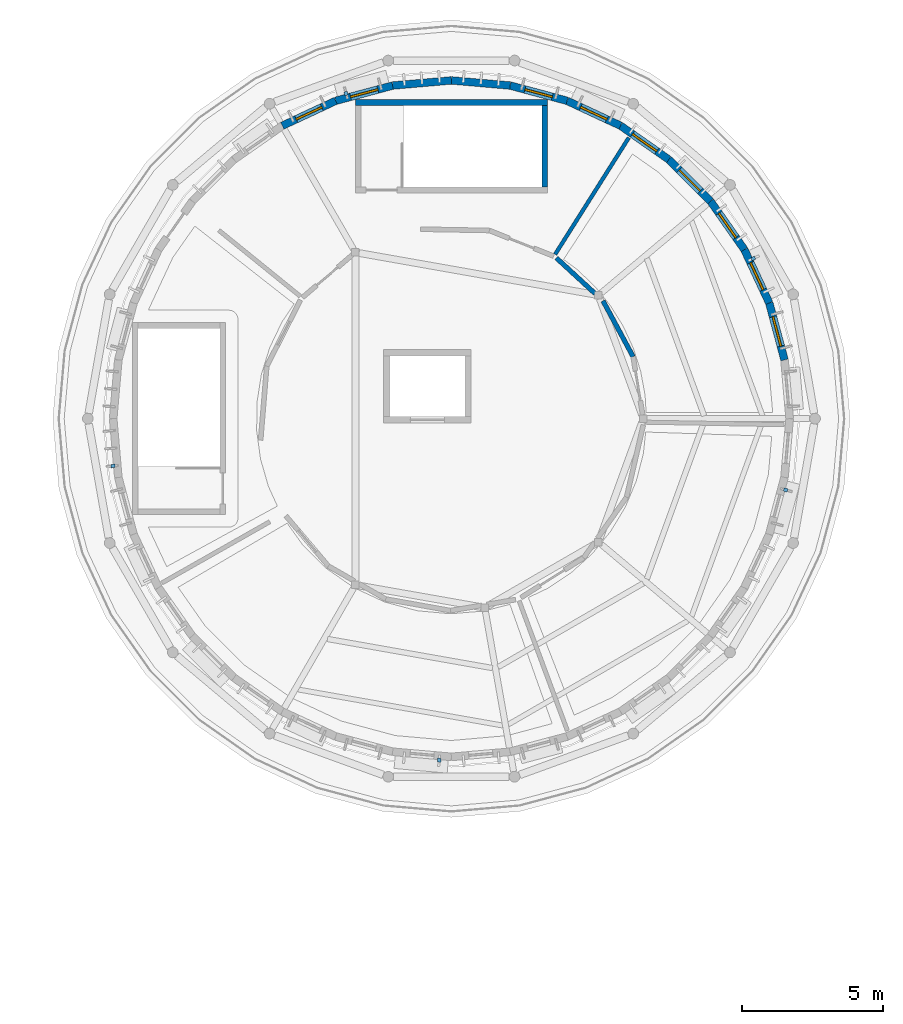
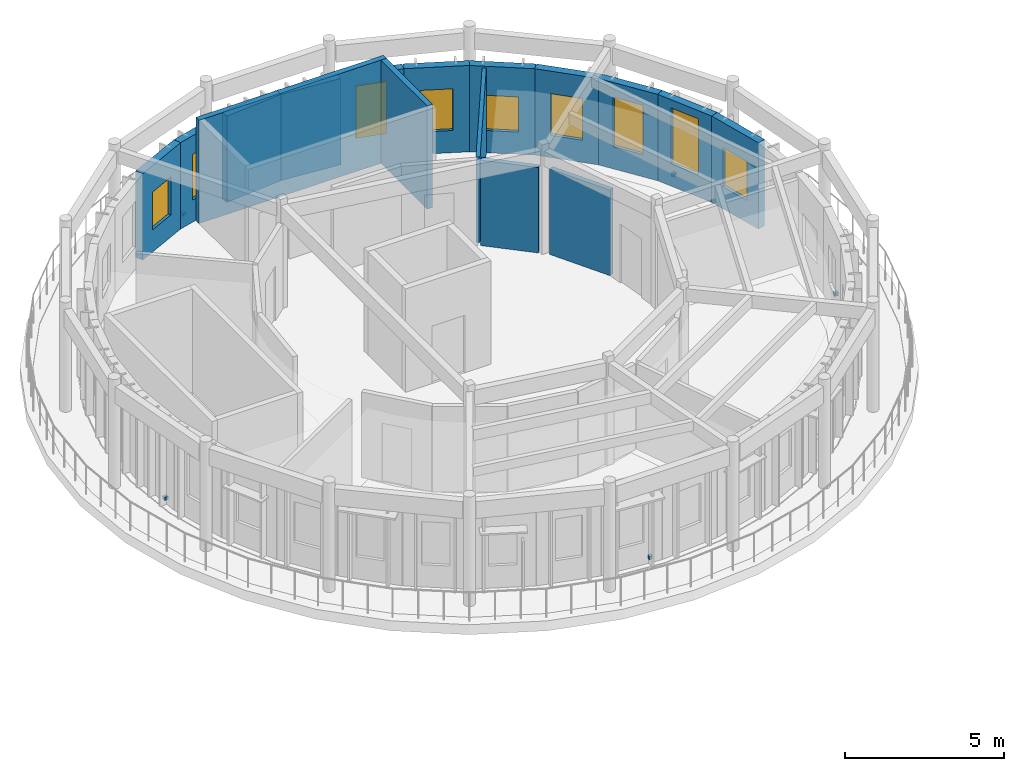
# One storey, part 10 of 14: 16 walls, 9 windows, 5 discrete accessories, 9 openings.
"""IFC4 building model written with IfcOpenShell, lengths in metres."""

import ifcopenshell
import ifcopenshell.guid

model = None  # the IFC model being written
_history = None  # IfcOwnerHistory: only IFC2X3 demands one
_inside = {}  # id of a spatial element -> (the spatial element, [elements in it])
_under = {}  # id of a project, library or spatial element -> (it, [spatial elements below it])
_declared = {}  # id of a project -> (the project, [libraries it declares])
_typed = {}  # id of a type object -> (the type object, [elements of that type])
_made_of = {}  # id of a material, layer set ... -> (it, [elements and type objects made of it])


def new_model(schema):
    """Start an empty IFC model of exactly this schema.

    Asked for "IFC4X3", IfcOpenShell would pick the latest addendum, in which some entities
    have other attributes; the version numbers below select the first issue.
    IFC2X3 requires an IfcOwnerHistory on every rooted entity: one is made here for all.
    """
    global model, _history
    if schema == "IFC4X3":
        model = ifcopenshell.file(schema_version=(4, 3, 0, 0))
    else:
        model = ifcopenshell.file(schema=schema)
    _inside.clear()
    _under.clear()
    _declared.clear()
    _typed.clear()
    _made_of.clear()
    _history = None
    if model.schema == "IFC2X3":
        org = make("IfcOrganization", Name="unknown")
        user = make(
            "IfcPersonAndOrganization",
            ThePerson=make("IfcPerson", FamilyName="unknown"),
            TheOrganization=org,
        )
        app = make(
            "IfcApplication",
            ApplicationDeveloper=org,
            Version="unknown",
            ApplicationFullName="unknown",
            ApplicationIdentifier="unknown",
        )
        _history = make(
            "IfcOwnerHistory",
            OwningUser=user,
            OwningApplication=app,
            ChangeAction="ADDED",
            CreationDate=0,
        )
    return model


def make(cls, **values):
    """One entity of the class cls with the attributes given. An attribute that is None is left unset."""
    return model.create_entity(
        cls, **{name: value for name, value in values.items() if value is not None}
    )


def rooted(cls, **values):
    """An entity with a GlobalId (a new one), such as an element, a storey or a relation."""
    return make(cls, GlobalId=ifcopenshell.guid.new(), OwnerHistory=_history, **values)


def si_unit(unit_type, name, prefix=None):
    """IfcSIUnit, for example si_unit("LENGTHUNIT", "METRE", prefix="MILLI")."""
    return make("IfcSIUnit", UnitType=unit_type, Prefix=prefix, Name=name)


def assignment(units):
    """IfcUnitAssignment: the units of a project."""
    return None if units is None else make("IfcUnitAssignment", Units=units)


def point(xyz):
    """IfcCartesianPoint."""
    return None if xyz is None else make("IfcCartesianPoint", Coordinates=xyz)


def direction(xyz):
    """IfcDirection."""
    return None if xyz is None else make("IfcDirection", DirectionRatios=xyz)


def frame(location, z_axis=None, x_axis=None):
    """IfcAxis2Placement3D, a coordinate frame: its origin and axes. An axis left out is left unset."""
    return make(
        "IfcAxis2Placement3D",
        Location=point(location),
        Axis=direction(z_axis),
        RefDirection=direction(x_axis),
    )


def frame_2d(location, x_axis=None):
    """IfcAxis2Placement2D, a coordinate frame in the plane: its origin and x axis."""
    return make(
        "IfcAxis2Placement2D", Location=point(location), RefDirection=direction(x_axis)
    )


def origin():
    """The frame at (0, 0, 0) with its axes left unset."""
    return frame((0.0, 0.0, 0.0))


def origin_2d():
    """The frame at (0, 0) in the plane with its x axis left unset."""
    return frame_2d((0.0, 0.0))


def place(relative_to, where):
    """IfcLocalPlacement: puts the frame where relative to a parent placement (None: the world)."""
    return make(
        "IfcLocalPlacement", PlacementRelTo=relative_to, RelativePlacement=where
    )


def context(
    kind, dimensions, precision=None, world=None, true_north=None, identifier=None
):
    """IfcGeometricRepresentationContext, for example the 3D "Model" context."""
    return make(
        "IfcGeometricRepresentationContext",
        ContextIdentifier=identifier,
        ContextType=kind,
        CoordinateSpaceDimension=dimensions,
        Precision=precision,
        WorldCoordinateSystem=world,
        TrueNorth=true_north,
    )


def subcontext(parent, identifier, kind, view, scale=None):
    """IfcGeometricRepresentationSubContext, for example "Body" below "Model"."""
    return make(
        "IfcGeometricRepresentationSubContext",
        ContextIdentifier=identifier,
        ContextType=kind,
        ParentContext=parent,
        TargetScale=scale,
        TargetView=view,
    )


def project(units=None, contexts=None):
    """IfcProject with its units and contexts."""
    return rooted(
        "IfcProject",
        Name="project",
        RepresentationContexts=contexts,
        UnitsInContext=assignment(units),
    )


def spatial(cls, under=None, at=None, **own):
    """A site, building, storey or space (cls), placed at a placement, below another one or the project."""
    s = rooted(cls, ObjectPlacement=at, **own)
    if under is not None:
        _under.setdefault(under.id(), (under, []))[1].append(s)
    return s


def profile(cls, at=None, kind="AREA", **sizes):
    """A parametric profile (cls). Its sizes go by their IFC names, for example OverallWidth=200.0."""
    return make(cls, ProfileType=kind, Position=at, **sizes)


def rectangle(**sizes):
    """IfcRectangleProfileDef."""
    return profile("IfcRectangleProfileDef", **sizes)


def extrude(swept, where, along, depth):
    """IfcExtrudedAreaSolid: the profile swept, set in the frame where, extruded along a direction by depth."""
    return make(
        "IfcExtrudedAreaSolid",
        SweptArea=swept,
        Position=where,
        ExtrudedDirection=direction(along),
        Depth=depth,
    )


def shape(context_of_items, identifier, shape_type, items):
    """IfcShapeRepresentation: the items that make up one representation, for example the "Body"."""
    return make(
        "IfcShapeRepresentation",
        ContextOfItems=context_of_items,
        RepresentationIdentifier=identifier,
        RepresentationType=shape_type,
        Items=items,
    )


def material(Name=None, Category=None):
    """IfcMaterial."""
    return make("IfcMaterial", Name=Name, Category=Category)


def layer(
    of_material, thickness, ventilated=None, Name=None, Category=None, Priority=None
):
    """IfcMaterialLayer: one layer of a wall or slab, of a material (None: an air gap)."""
    return make(
        "IfcMaterialLayer",
        Material=of_material,
        LayerThickness=thickness,
        IsVentilated=ventilated,
        Name=Name,
        Category=Category,
        Priority=Priority,
    )


def layer_set(layers, Name=None):
    """IfcMaterialLayerSet."""
    return make("IfcMaterialLayerSet", MaterialLayers=layers, LayerSetName=Name)


def made_of(thing, what):
    """Note that an element or type object is made of a material, layer set ...; save() writes the relation."""
    if what is not None:
        _made_of.setdefault(what.id(), (what, []))[1].append(thing)
    return thing


def type_object(cls, material=None, **own):
    """A type object (cls), such as IfcWallType, which elements share."""
    return made_of(rooted(cls, **own), material)


def element(
    cls,
    number,
    at=None,
    inside=None,
    cuts=None,
    type_object=None,
    material=None,
    context=None,
    identifier="Body",
    shape_type=None,
    held_by="IfcProductDefinitionShape",
    body=None,
    shapes=None,
    **own,
):
    """One element of the class cls, such as IfcWall. Its Tag is "e" and its number.

    at: its placement. inside: the storey or other place that contains it. cuts: it is an
    opening in that element (IfcRelVoidsElement). A single representation is given by context,
    identifier, shape_type and body (its items); several are given by shapes. held_by: the class
    of the entity that holds the representations. save() writes the other relations.
    """
    e = rooted(cls, Tag="e%d" % number, ObjectPlacement=at, **own)
    if body is not None:
        shapes = [shape(context, identifier, shape_type, body)]
    if shapes is not None:
        e.Representation = make(held_by, Representations=shapes)
    if inside is not None:
        _inside.setdefault(inside.id(), (inside, []))[1].append(e)
    if cuts is not None:
        rooted(
            "IfcRelVoidsElement", RelatingBuildingElement=cuts, RelatedOpeningElement=e
        )
    if type_object is not None:
        _typed.setdefault(type_object.id(), (type_object, []))[1].append(e)
    return made_of(e, material)


def fill(opening, filler):
    """IfcRelFillsElement: the door or window that sits in an opening."""
    return rooted(
        "IfcRelFillsElement",
        RelatingOpeningElement=opening,
        RelatedBuildingElement=filler,
    )


def aggregate(whole, parts):
    """IfcRelAggregates: a whole, such as a stair, and the parts it consists of."""
    return rooted("IfcRelAggregates", RelatingObject=whole, RelatedObjects=parts)


def save(model, path):
    """Write the relations noted so far, then the file.

    IfcRelAggregates (storeys below a building ...), IfcRelContainedInSpatialStructure (elements
    in a storey), IfcRelDefinesByType, IfcRelAssociatesMaterial and IfcRelDeclares: one each for
    every whole, place, type object, material and project.
    """
    for whole, parts in _under.values():
        aggregate(whole, parts)
    for where, things in _inside.values():
        rooted(
            "IfcRelContainedInSpatialStructure",
            RelatedElements=things,
            RelatingStructure=where,
        )
    for kind, things in _typed.values():
        rooted("IfcRelDefinesByType", RelatedObjects=things, RelatingType=kind)
    for what, things in _made_of.values():
        rooted("IfcRelAssociatesMaterial", RelatedObjects=things, RelatingMaterial=what)
    for by, libraries in _declared.values():
        rooted("IfcRelDeclares", RelatingContext=by, RelatedDefinitions=libraries)
    model.write(path)


model = new_model("IFC4")

# Units and contexts
model_context = context("Model", 3, precision=1e-05, world=origin(), true_north=direction((0.0, 1.0)))
body_context = subcontext(model_context, "Body", "Model", "MODEL_VIEW")
ifc_project = project(units=[si_unit("LENGTHUNIT", "METRE"), si_unit("AREAUNIT", "SQUARE_METRE"), si_unit("VOLUMEUNIT", "CUBIC_METRE"), si_unit("PLANEANGLEUNIT", "RADIAN"), si_unit("MASSUNIT", "GRAM", prefix="KILO")], contexts=[model_context])

# Site, building, storey
site_placement = place(None, origin())
site = spatial("IfcSite", under=ifc_project, at=site_placement, CompositionType="ELEMENT")
building_placement = place(site_placement, origin())
building = spatial("IfcBuilding", under=site, at=building_placement, Name="Aldenvaro Health Centre", CompositionType="ELEMENT")
storey_placement = place(building_placement, frame((0.0, 0.0, 21.35009765625)))
storey = spatial("IfcBuildingStorey", under=building, at=storey_placement, Name="L05", CompositionType="ELEMENT", Elevation=21.35009765625)

# Walls
ifc_material_1 = material(Name="Gypsum Stud Acoustic Assembly")
ifc_layer_1 = layer(ifc_material_1, 0.1650390625, Name="Gypsum Stud Acoustic Assembly")
ifc_layer_set_1 = layer_set([ifc_layer_1], Name="Gypsum Stud Acoustic Assembly")
wall_type_1 = type_object("IfcWallType", Name="WL-COR-165", PredefinedType="PARTITIONING", material=ifc_layer_set_1)
wall_1_placement = place(storey_placement, frame((24.93603515625, 101.695068359375, 0.0), z_axis=(0.0, 0.0, 1.0), x_axis=(-0.474805741817, 0.880090624617, 0.0)))
element("IfcWall", 1, at=wall_1_placement, inside=storey, type_object=wall_type_1, Name="D4 L05 corridor wall 04.2", PredefinedType="PARTITIONING", context=body_context, shape_type="SweptSolid", body=[
    extrude(rectangle(XDim=2.24755859375, YDim=0.1650390625, at=frame_2d((1.123779296875, 0.0))), origin(), (0.0, 0.0, 1.0), 3.27880859375),
])
wall_2_placement = place(storey_placement, frame((23.5859375, 103.93310546875, 0.0), z_axis=(0.0, 0.0, 1.0), x_axis=(-0.735722058644, 0.67728358346, 0.0)))
element("IfcWall", 2, at=wall_2_placement, inside=storey, type_object=wall_type_1, Name="D4 L05 corridor wall 04.3", PredefinedType="PARTITIONING", context=body_context, shape_type="SweptSolid", body=[
    extrude(rectangle(XDim=1.86328125, YDim=0.1650390625, at=frame_2d((0.931640625, 0.0))), origin(), (0.0, 0.0, 1.0), 3.27880859375),
])

# Wall, opening, window
ifc_material_2 = material(Name="Cross-laminated timber CLT E1", Category="wood")
ifc_layer_2 = layer(ifc_material_2, 0.27001953125, Name="Cross-laminated timber CLT E1", Category="wood")
ifc_layer_set_2 = layer_set([ifc_layer_2], Name="Cross-laminated timber CLT E1")
wall_type_2 = type_object("IfcWallType", Name="WL-EXT-270", PredefinedType="ELEMENTEDWALL", material=ifc_layer_set_2)
wall_3_placement = place(storey_placement, frame((12.510009765625, 109.875, 0.0), z_axis=(0.0, 0.0, 1.0), x_axis=(0.906251803004, 0.422738299131, 0.0)))
wall_3 = element("IfcWall", 3, at=wall_3_placement, inside=storey, type_object=wall_type_2, Name="D4 L05 exterior wall 24", PredefinedType="ELEMENTEDWALL", context=body_context, shape_type="SweptSolid", body=[
    extrude(rectangle(XDim=2.0888671875, YDim=0.27001953125, at=frame_2d((1.04443359375, 0.0))), origin(), (0.0, 0.0, 1.0), 3.31396484375),
])
opening_1_placement = place(wall_3_placement, frame((0.5439453125, 0.0, 0.85009765625)))
opening_1 = element("IfcOpeningElement", 4, at=opening_1_placement, cuts=wall_3, Name="Opening W-15", PredefinedType="OPENING", context=body_context, shape_type="SweptSolid", body=[
    extrude(rectangle(XDim=1.0, YDim=1.449951171875, at=frame_2d((0.5, 0.72509765625))), frame((0.0, 0.14501953125, 0.0), z_axis=(0.0, -1.0, 0.0), x_axis=(1.0, 0.0, 0.0)), (0.0, 0.0, 1.0), 0.2900390625),
])
ifc_material_3 = material(Name="Thermally Broken Aluminium Low-E Glass", Category="aluminium")
window_type_1 = type_object("IfcWindowType", Name="WN-EXT-15", PartitioningType="SINGLE_PANEL", PredefinedType="WINDOW", material=ifc_material_3)
window_1_placement = place(opening_1_placement, origin())
window_1 = element("IfcWindow", 5, at=window_1_placement, inside=storey, type_object=window_type_1, Name="D4 L05 clinical window 24", OverallHeight=1.449951171875, OverallWidth=1.0, PartitioningType="SINGLE_PANEL", PredefinedType="WINDOW", context=body_context, shape_type="SweptSolid", body=[
    extrude(rectangle(XDim=1.0, YDim=1.449951171875, at=frame_2d((0.5, 0.72509765625))), frame((0.0, 0.030029296875, 0.0), z_axis=(0.0, -1.0, 0.0), x_axis=(1.0, 0.0, 0.0)), (0.0, 0.0, 1.0), 0.06005859375),
])
fill(opening_1, window_1)

wall_4_placement = place(storey_placement, frame((14.403076171875, 110.758056640625, 0.0), z_axis=(0.0, 0.0, 1.0), x_axis=(0.965970487849, 0.258652308331, 0.0)))
wall_4 = element("IfcWall", 6, at=wall_4_placement, inside=storey, type_object=wall_type_2, Name="D4 L05 exterior wall 25", PredefinedType="ELEMENTEDWALL", context=body_context, shape_type="SweptSolid", body=[
    extrude(rectangle(XDim=2.087890625, YDim=0.27001953125, at=frame_2d((1.0439453125, 0.0))), origin(), (0.0, 0.0, 1.0), 3.31396484375),
])
opening_2_placement = place(wall_4_placement, frame((0.5439453125, 0.0, 0.85009765625)))
opening_2 = element("IfcOpeningElement", 7, at=opening_2_placement, cuts=wall_4, Name="Opening W-16", PredefinedType="OPENING", context=body_context, shape_type="SweptSolid", body=[
    extrude(rectangle(XDim=1.0, YDim=1.75, at=frame_2d((0.5, 0.875))), frame((0.0, 0.14501953125, 0.0), z_axis=(0.0, -1.0, 0.0), x_axis=(1.0, 0.0, 0.0)), (0.0, 0.0, 1.0), 0.2900390625),
])
window_type_2 = type_object("IfcWindowType", Name="WN-EXT-16", PartitioningType="SINGLE_PANEL", PredefinedType="WINDOW", material=ifc_material_3)
window_2_placement = place(opening_2_placement, origin())
window_2 = element("IfcWindow", 8, at=window_2_placement, inside=storey, type_object=window_type_2, Name="D4 L05 clinical window 25", OverallHeight=1.75, OverallWidth=1.0, PartitioningType="SINGLE_PANEL", PredefinedType="WINDOW", context=body_context, shape_type="SweptSolid", body=[
    extrude(rectangle(XDim=1.0, YDim=1.75, at=frame_2d((0.5, 0.875))), frame((0.0, 0.030029296875, 0.0), z_axis=(0.0, -1.0, 0.0), x_axis=(1.0, 0.0, 0.0)), (0.0, 0.0, 1.0), 0.06005859375),
])
fill(opening_2, window_2)

# Walls
for number, where, z_axis, x_axis, name in (
    (9, (16.419921875, 111.298095703125, 0.0), (0.0, 0.0, 1.0), (0.996198792396, 0.087108931964, 0.0), "D4 L05 exterior wall 26"),
    (10, (18.5, 111.47998046875, 0.0), (0.0, 0.0, 1.0), (0.996198792396, -0.087108931964, 0.0), "D4 L05 exterior wall 27"),
):
    element("IfcWall", number, at=place(storey_placement, frame(where, z_axis=z_axis, x_axis=x_axis)), inside=storey, type_object=wall_type_2, Name=name, PredefinedType="ELEMENTEDWALL", context=body_context, shape_type="SweptSolid", body=[
        extrude(rectangle(XDim=2.088134765625, YDim=0.27001953125, at=frame_2d((1.0439453125, 0.0))), origin(), (0.0, 0.0, 1.0), 3.31396484375),
    ])

# Wall, opening, window
wall_5_placement = place(storey_placement, frame((20.580078125, 111.298095703125, 0.0), z_axis=(0.0, 0.0, 1.0), x_axis=(0.965970487849, -0.258652308331, 0.0)))
wall_5 = element("IfcWall", 11, at=wall_5_placement, inside=storey, type_object=wall_type_2, Name="D4 L05 exterior wall 28", PredefinedType="ELEMENTEDWALL", context=body_context, shape_type="SweptSolid", body=[
    extrude(rectangle(XDim=2.087890625, YDim=0.27001953125, at=frame_2d((1.0439453125, 0.0))), origin(), (0.0, 0.0, 1.0), 3.31396484375),
])
opening_3_placement = place(wall_5_placement, frame((0.5439453125, 0.0, 0.85009765625)))
opening_3 = element("IfcOpeningElement", 12, at=opening_3_placement, cuts=wall_5, Name="Opening W-17", PredefinedType="OPENING", context=body_context, shape_type="SweptSolid", body=[
    extrude(rectangle(XDim=1.0, YDim=2.0, at=frame_2d((0.5, 1.0))), frame((0.0, 0.14501953125, 0.0), z_axis=(0.0, -1.0, 0.0), x_axis=(1.0, 0.0, 0.0)), (0.0, 0.0, 1.0), 0.2900390625),
])
window_type_3 = type_object("IfcWindowType", Name="WN-EXT-17", PartitioningType="SINGLE_PANEL", PredefinedType="WINDOW", material=ifc_material_3)
window_3_placement = place(opening_3_placement, origin())
window_3 = element("IfcWindow", 13, at=window_3_placement, inside=storey, type_object=window_type_3, Name="D4 L05 clinical window 28", OverallHeight=2.0, OverallWidth=1.0, PartitioningType="SINGLE_PANEL", PredefinedType="WINDOW", context=body_context, shape_type="SweptSolid", body=[
    extrude(rectangle(XDim=1.0, YDim=2.0, at=frame_2d((0.5, 1.0))), frame((0.0, 0.030029296875, 0.0), z_axis=(0.0, -1.0, 0.0), x_axis=(1.0, 0.0, 0.0)), (0.0, 0.0, 1.0), 0.06005859375),
])
fill(opening_3, window_3)

wall_6_placement = place(storey_placement, frame((22.596923828125, 110.758056640625, 0.0), z_axis=(0.0, 0.0, 1.0), x_axis=(0.906251803004, -0.422738299131, 0.0)))
wall_6 = element("IfcWall", 14, at=wall_6_placement, inside=storey, type_object=wall_type_2, Name="D4 L05 exterior wall 29", PredefinedType="ELEMENTEDWALL", context=body_context, shape_type="SweptSolid", body=[
    extrude(rectangle(XDim=2.0888671875, YDim=0.27001953125, at=frame_2d((1.04443359375, 0.0))), origin(), (0.0, 0.0, 1.0), 3.31396484375),
])
opening_4_placement = place(wall_6_placement, frame((0.533935546875, 0.0, 0.85009765625)))
opening_4 = element("IfcOpeningElement", 15, at=opening_4_placement, cuts=wall_6, Name="Opening W-18", PredefinedType="OPENING", context=body_context, shape_type="SweptSolid", body=[
    extrude(rectangle(XDim=1.02001953125, YDim=1.60009765625, at=frame_2d((0.510009765625, 0.800048828125))), frame((0.0, 0.14501953125, 0.0), z_axis=(0.0, -1.0, 0.0), x_axis=(1.0, 0.0, 0.0)), (0.0, 0.0, 1.0), 0.2900390625),
])
window_type_4 = type_object("IfcWindowType", Name="WN-EXT-18", PartitioningType="SINGLE_PANEL", PredefinedType="WINDOW", material=ifc_material_3)
window_4_placement = place(opening_4_placement, origin())
window_4 = element("IfcWindow", 16, at=window_4_placement, inside=storey, type_object=window_type_4, Name="D4 L05 clinical window 29", OverallHeight=1.60009765625, OverallWidth=1.02001953125, PartitioningType="SINGLE_PANEL", PredefinedType="WINDOW", context=body_context, shape_type="SweptSolid", body=[
    extrude(rectangle(XDim=1.02001953125, YDim=1.60009765625, at=frame_2d((0.510009765625, 0.800048828125))), frame((0.0, 0.030029296875, 0.0), z_axis=(0.0, -1.0, 0.0), x_axis=(1.0, 0.0, 0.0)), (0.0, 0.0, 1.0), 0.06005859375),
])
fill(opening_4, window_4)

wall_7_placement = place(storey_placement, frame((24.489990234375, 109.875, 0.0), z_axis=(0.0, 0.0, 1.0), x_axis=(0.819155033433, -0.573572167388, 0.0)))
wall_7 = element("IfcWall", 17, at=wall_7_placement, inside=storey, type_object=wall_type_2, Name="D4 L05 exterior wall 30", PredefinedType="ELEMENTEDWALL", context=body_context, shape_type="SweptSolid", body=[
    extrude(rectangle(XDim=2.088623046875, YDim=0.27001953125, at=frame_2d((1.04443359375, 0.0))), origin(), (0.0, 0.0, 1.0), 3.31396484375),
])
opening_5_placement = place(wall_7_placement, frame((0.51904296875, 0.0, 0.85009765625)))
opening_5 = element("IfcOpeningElement", 18, at=opening_5_placement, cuts=wall_7, Name="Opening W-19", PredefinedType="OPENING", context=body_context, shape_type="SweptSolid", body=[
    extrude(rectangle(XDim=1.050048828125, YDim=1.35009765625, at=frame_2d((0.52490234375, 0.675048828125))), frame((0.0, 0.14501953125, 0.0), z_axis=(0.0, -1.0, 0.0), x_axis=(1.0, 0.0, 0.0)), (0.0, 0.0, 1.0), 0.2900390625),
])
window_type_5 = type_object("IfcWindowType", Name="WN-EXT-19", PartitioningType="SINGLE_PANEL", PredefinedType="WINDOW", material=ifc_material_3)
window_5_placement = place(opening_5_placement, origin())
window_5 = element("IfcWindow", 19, at=window_5_placement, inside=storey, type_object=window_type_5, Name="D4 L05 clinical window 30", OverallHeight=1.35009765625, OverallWidth=1.050048828125, PartitioningType="SINGLE_PANEL", PredefinedType="WINDOW", context=body_context, shape_type="SweptSolid", body=[
    extrude(rectangle(XDim=1.050048828125, YDim=1.35009765625, at=frame_2d((0.52490234375, 0.675048828125))), frame((0.0, 0.030029296875, 0.0), z_axis=(0.0, -1.0, 0.0), x_axis=(1.0, 0.0, 0.0)), (0.0, 0.0, 1.0), 0.06005859375),
])
fill(opening_5, window_5)

wall_8_placement = place(storey_placement, frame((26.200927734375, 108.677001953125, 0.0), z_axis=(0.0, 0.0, 1.0), x_axis=(0.707106781187, -0.707106781187, 0.0)))
wall_8 = element("IfcWall", 20, at=wall_8_placement, inside=storey, type_object=wall_type_2, Name="D4 L05 exterior wall 31", PredefinedType="ELEMENTEDWALL", context=body_context, shape_type="SweptSolid", body=[
    extrude(rectangle(XDim=2.08740234375, YDim=0.27001953125, at=frame_2d((1.043701171875, 0.0))), origin(), (0.0, 0.0, 1.0), 3.31396484375),
])
opening_6_placement = place(wall_8_placement, frame((0.51904296875, 0.0, 0.85009765625)))
opening_6 = element("IfcOpeningElement", 21, at=opening_6_placement, cuts=wall_8, Name="Opening W-20", PredefinedType="OPENING", context=body_context, shape_type="SweptSolid", body=[
    extrude(rectangle(XDim=1.050048828125, YDim=1.60009765625, at=frame_2d((0.52490234375, 0.800048828125))), frame((0.0, 0.14501953125, 0.0), z_axis=(0.0, -1.0, 0.0), x_axis=(1.0, 0.0, 0.0)), (0.0, 0.0, 1.0), 0.2900390625),
])
window_type_6 = type_object("IfcWindowType", Name="WN-EXT-20", PartitioningType="SINGLE_PANEL", PredefinedType="WINDOW", material=ifc_material_3)
window_6_placement = place(opening_6_placement, origin())
window_6 = element("IfcWindow", 22, at=window_6_placement, inside=storey, type_object=window_type_6, Name="D4 L05 clinical window 31", OverallHeight=1.60009765625, OverallWidth=1.050048828125, PartitioningType="SINGLE_PANEL", PredefinedType="WINDOW", context=body_context, shape_type="SweptSolid", body=[
    extrude(rectangle(XDim=1.050048828125, YDim=1.60009765625, at=frame_2d((0.52490234375, 0.800048828125))), frame((0.0, 0.030029296875, 0.0), z_axis=(0.0, -1.0, 0.0), x_axis=(1.0, 0.0, 0.0)), (0.0, 0.0, 1.0), 0.06005859375),
])
fill(opening_6, window_6)

wall_9_placement = place(storey_placement, frame((27.677001953125, 107.200927734375, 0.0), z_axis=(0.0, 0.0, 1.0), x_axis=(0.573572167388, -0.819155033433, 0.0)))
wall_9 = element("IfcWall", 23, at=wall_9_placement, inside=storey, type_object=wall_type_2, Name="D4 L05 exterior wall 32", PredefinedType="ELEMENTEDWALL", context=body_context, shape_type="SweptSolid", body=[
    extrude(rectangle(XDim=2.088623046875, YDim=0.27001953125, at=frame_2d((1.04443359375, 0.0))), origin(), (0.0, 0.0, 1.0), 3.31396484375),
])
opening_7_placement = place(wall_9_placement, frame((0.51904296875, 0.0, 0.85009765625)))
opening_7 = element("IfcOpeningElement", 24, at=opening_7_placement, cuts=wall_9, Name="Opening W-21", PredefinedType="OPENING", context=body_context, shape_type="SweptSolid", body=[
    extrude(rectangle(XDim=1.050048828125, YDim=1.89990234375, at=frame_2d((0.52490234375, 0.949951171875))), frame((0.0, 0.14501953125, 0.0), z_axis=(0.0, -1.0, 0.0), x_axis=(1.0, 0.0, 0.0)), (0.0, 0.0, 1.0), 0.2900390625),
])
window_type_7 = type_object("IfcWindowType", Name="WN-EXT-21", PartitioningType="SINGLE_PANEL", PredefinedType="WINDOW", material=ifc_material_3)
window_7_placement = place(opening_7_placement, origin())
window_7 = element("IfcWindow", 25, at=window_7_placement, inside=storey, type_object=window_type_7, Name="D4 L05 clinical window 32", OverallHeight=1.89990234375, OverallWidth=1.050048828125, PartitioningType="SINGLE_PANEL", PredefinedType="WINDOW", context=body_context, shape_type="SweptSolid", body=[
    extrude(rectangle(XDim=1.050048828125, YDim=1.89990234375, at=frame_2d((0.52490234375, 0.949951171875))), frame((0.0, 0.030029296875, 0.0), z_axis=(0.0, -1.0, 0.0), x_axis=(1.0, 0.0, 0.0)), (0.0, 0.0, 1.0), 0.06005859375),
])
fill(opening_7, window_7)

wall_10_placement = place(storey_placement, frame((28.875, 105.489990234375, 0.0), z_axis=(0.0, 0.0, 1.0), x_axis=(0.422738299131, -0.906251803004, 0.0)))
wall_10 = element("IfcWall", 26, at=wall_10_placement, inside=storey, type_object=wall_type_2, Name="D4 L05 exterior wall 33", PredefinedType="ELEMENTEDWALL", context=body_context, shape_type="SweptSolid", body=[
    extrude(rectangle(XDim=2.0888671875, YDim=0.27001953125, at=frame_2d((1.04443359375, 0.0))), origin(), (0.0, 0.0, 1.0), 3.31396484375),
])
opening_8_placement = place(wall_10_placement, frame((0.51904296875, 0.0, 0.85009765625)))
opening_8 = element("IfcOpeningElement", 27, at=opening_8_placement, cuts=wall_10, Name="Opening W-22", PredefinedType="OPENING", context=body_context, shape_type="SweptSolid", body=[
    extrude(rectangle(XDim=1.050048828125, YDim=2.14990234375, at=frame_2d((0.52490234375, 1.074951171875))), frame((0.0, 0.14501953125, 0.0), z_axis=(0.0, -1.0, 0.0), x_axis=(1.0, 0.0, 0.0)), (0.0, 0.0, 1.0), 0.2900390625),
])
window_type_8 = type_object("IfcWindowType", Name="WN-EXT-22", PartitioningType="SINGLE_PANEL", PredefinedType="WINDOW", material=ifc_material_3)
window_8_placement = place(opening_8_placement, origin())
window_8 = element("IfcWindow", 28, at=window_8_placement, inside=storey, type_object=window_type_8, Name="D4 L05 clinical window 33", OverallHeight=2.14990234375, OverallWidth=1.050048828125, PartitioningType="SINGLE_PANEL", PredefinedType="WINDOW", context=body_context, shape_type="SweptSolid", body=[
    extrude(rectangle(XDim=1.050048828125, YDim=2.14990234375, at=frame_2d((0.52490234375, 1.074951171875))), frame((0.0, 0.030029296875, 0.0), z_axis=(0.0, -1.0, 0.0), x_axis=(1.0, 0.0, 0.0)), (0.0, 0.0, 1.0), 0.06005859375),
])
fill(opening_8, window_8)

wall_11_placement = place(storey_placement, frame((29.758056640625, 103.596923828125, 0.0), z_axis=(0.0, 0.0, 1.0), x_axis=(0.258652308331, -0.965970487849, 0.0)))
wall_11 = element("IfcWall", 29, at=wall_11_placement, inside=storey, type_object=wall_type_2, Name="D4 L05 exterior wall 34", PredefinedType="ELEMENTEDWALL", context=body_context, shape_type="SweptSolid", body=[
    extrude(rectangle(XDim=2.087890625, YDim=0.27001953125, at=frame_2d((1.0439453125, 0.0))), origin(), (0.0, 0.0, 1.0), 3.31396484375),
])
opening_9_placement = place(wall_11_placement, frame((0.50390625, 0.0, 0.85009765625)))
opening_9 = element("IfcOpeningElement", 30, at=opening_9_placement, cuts=wall_11, Name="Opening W-23", PredefinedType="OPENING", context=body_context, shape_type="SweptSolid", body=[
    extrude(rectangle(XDim=1.080078125, YDim=1.5, at=frame_2d((0.5400390625, 0.75))), frame((0.0, 0.14501953125, 0.0), z_axis=(0.0, -1.0, 0.0), x_axis=(1.0, 0.0, 0.0)), (0.0, 0.0, 1.0), 0.2900390625),
])
window_type_9 = type_object("IfcWindowType", Name="WN-EXT-23", PartitioningType="SINGLE_PANEL", PredefinedType="WINDOW", material=ifc_material_3)
window_9_placement = place(opening_9_placement, origin())
window_9 = element("IfcWindow", 31, at=window_9_placement, inside=storey, type_object=window_type_9, Name="D4 L05 clinical window 34", OverallHeight=1.5, OverallWidth=1.080078125, PartitioningType="SINGLE_PANEL", PredefinedType="WINDOW", context=body_context, shape_type="SweptSolid", body=[
    extrude(rectangle(XDim=1.080078125, YDim=1.5, at=frame_2d((0.5400390625, 0.75))), frame((0.0, 0.030029296875, 0.0), z_axis=(0.0, -1.0, 0.0), x_axis=(1.0, 0.0, 0.0)), (0.0, 0.0, 1.0), 0.06005859375),
])
fill(opening_9, window_9)

# Walls
ifc_material_4 = material(Name="Concrete f'c 40 MPa", Category="concrete")
ifc_layer_3 = layer(ifc_material_4, 0.199951171875, Name="Concrete f'c 40 MPa", Category="concrete")
ifc_layer_set_3 = layer_set([ifc_layer_3], Name="Concrete f'c 40 MPa")
wall_type_3 = type_object("IfcWallType", Name="WL-SHAFT-200", PredefinedType="SHEAR", material=ifc_layer_set_3)
wall_12_placement = place(storey_placement, frame((15.10009765625, 110.699951171875, 0.0), z_axis=(0.0, 0.0, 1.0), x_axis=(1.0, 0.0, 0.0)))
element("IfcWall", 32, at=wall_12_placement, inside=storey, type_object=wall_type_3, Name="ST-07 L05 core wall OUT", PredefinedType="SHEAR", context=body_context, shape_type="SweptSolid", body=[
    extrude(rectangle(XDim=6.7998046875, YDim=0.199951171875, at=frame_2d((3.39990234375, 0.0))), origin(), (0.0, 0.0, 1.0), 3.9599609375),
])
wall_13_placement = place(storey_placement, frame((21.800048828125, 107.699951171875, 0.0), z_axis=(0.0, 0.0, 1.0), x_axis=(0.0, 1.0, 0.0)))
element("IfcWall", 33, at=wall_13_placement, inside=storey, type_object=wall_type_3, Name="ST-07 L05 core wall R", PredefinedType="SHEAR", context=body_context, shape_type="SweptSolid", body=[
    extrude(rectangle(XDim=2.900146484375, YDim=0.199951171875, at=frame_2d((1.4501953125, 0.0))), origin(), (0.0, 0.0, 1.0), 3.9599609375),
])
ifc_material_5 = material(Name="Moisture-Resistant Plumbing Stud Wall")
ifc_layer_4 = layer(ifc_material_5, 0.135009765625, Name="Moisture-Resistant Plumbing Stud Wall")
ifc_layer_set_4 = layer_set([ifc_layer_4], Name="Moisture-Resistant Plumbing Stud Wall")
wall_type_4 = type_object("IfcWallType", Name="WL-WET-135", PredefinedType="PLUMBINGWALL", material=ifc_layer_set_4)
wall_14_placement = place(storey_placement, frame((22.174072265625, 105.320068359375, 0.0), z_axis=(0.0, 0.0, 1.0), x_axis=(0.533929049937, 0.845529283723, 0.0)))
element("IfcWall", 34, at=wall_14_placement, inside=storey, type_object=wall_type_4, Name="D4 L05 clinical partition 5.1", PredefinedType="PLUMBINGWALL", context=body_context, shape_type="SweptSolid", body=[
    extrude(rectangle(XDim=4.88427734375, YDim=0.135009765625, at=frame_2d((2.442138671875, 0.0))), origin(), (0.0, 0.0, 1.0), 3.27880859375),
])

# Discrete accessories
ifc_material_6 = material(Name="Stainless Steel AISI 316", Category="steel")
discrete_accessory_type = type_object("IfcDiscreteAccessoryType", Name="ACC-BRK-01", PredefinedType="BRACKET", material=ifc_material_6)
for number, where, z_axis, x_axis, name in (
    (35, (30.339111328125, 96.97412109375, 0.18994140625), (0.0, 0.0, 1.0), (-0.258616389055, -0.965980105029, 0.0), "D4 L05 stainless fin bracket 1"),
    (36, (18.068115234375, 87.402099609375, 0.18994140625), (0.0, 0.0, 1.0), (-0.996193717495, 0.087166950289, 0.0), "D4 L05 stainless fin bracket 9"),
    (37, (6.510986328125, 97.824951171875, 0.18994140625), (0.0, 0.0, 1.0), (-0.087166950289, 0.996193717495, 0.0), "D4 L05 stainless fin bracket 17"),
    (38, (14.76904296875, 111.01611328125, 0.18994140625), (0.0, 0.0, 1.0), (0.965980105029, 0.258616389055, 0.0), "D4 L05 stainless fin bracket 25"),
    (39, (29.193115234375, 105.175048828125, 0.18994140625), (0.0, 0.0, 1.0), (0.422728208301, -0.906256509994, 0.0), "D4 L05 stainless fin bracket 33"),
):
    element("IfcDiscreteAccessory", number, at=place(storey_placement, frame(where, z_axis=z_axis, x_axis=x_axis)), inside=storey, type_object=discrete_accessory_type, Name=name, PredefinedType="BRACKET", context=body_context, shape_type="SweptSolid", body=[
        extrude(rectangle(XDim=0.1201171875, YDim=0.139892578125, at=origin_2d()), origin(), (0.0, 0.0, 1.0), 0.1201171875),
    ])

save(model, "model.ifc")
